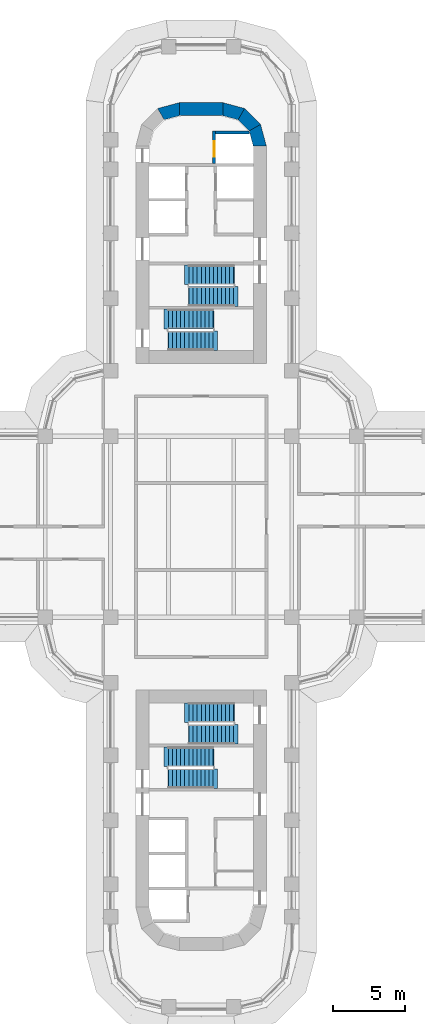
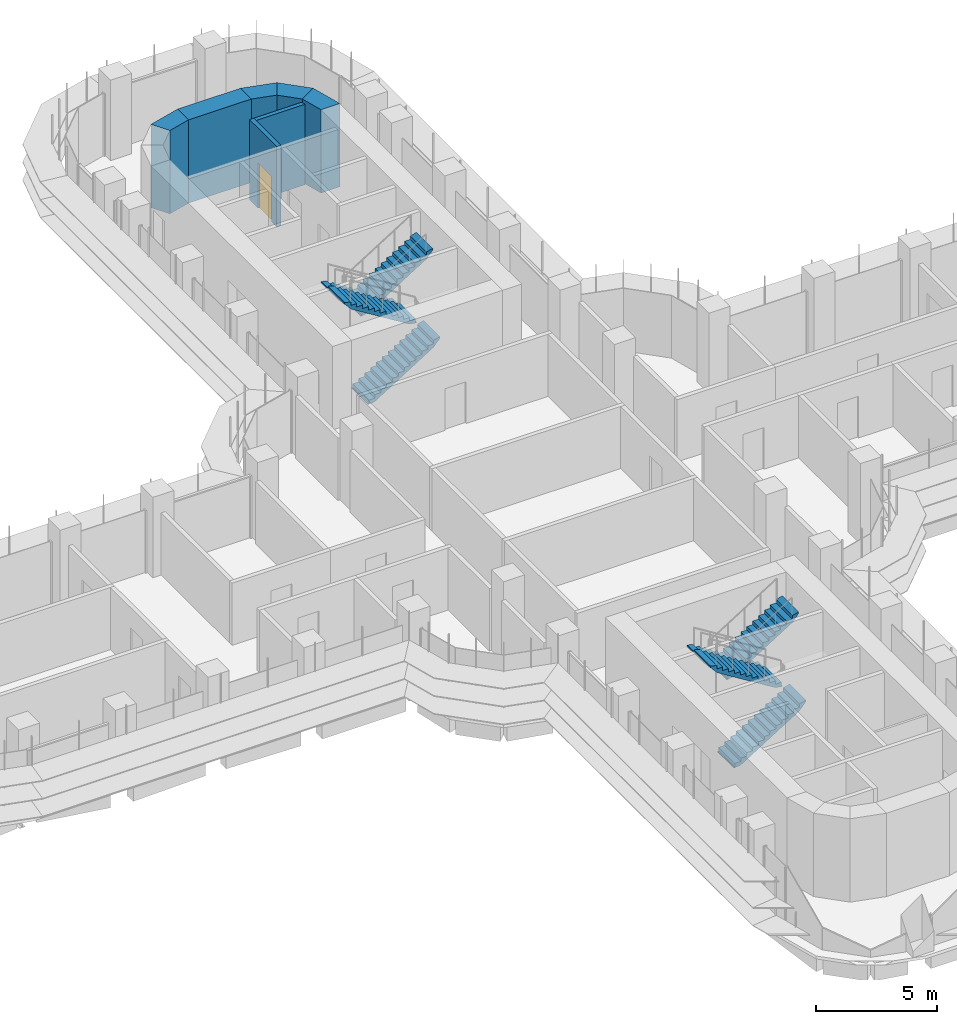
# One storey, part 19 of 23: 8 stair flights, 7 walls, 1 door, 1 opening, 4 elements without a shape of their own.
"""IFC4 building model written with IfcOpenShell, lengths in metres."""

from ifc_helpers import new_model, si_unit, direction, frame, frame_2d, origin, place, context, subcontext, project, spatial, polyline, rectangle, outline, extrude, material, layer, layer_set, type_object, element, fill, aggregate, save


model = new_model("IFC4")

# Units and contexts
model_context = context("Model", 3, precision=1e-05, world=origin(), true_north=direction((0.0, 1.0)))
body_context = subcontext(model_context, "Body", "Model", "MODEL_VIEW")
ifc_project = project(units=[si_unit("LENGTHUNIT", "METRE"), si_unit("AREAUNIT", "SQUARE_METRE"), si_unit("VOLUMEUNIT", "CUBIC_METRE"), si_unit("PLANEANGLEUNIT", "RADIAN"), si_unit("MASSUNIT", "GRAM", prefix="KILO")], contexts=[model_context])

# Site, building, storey
site_placement = place(None, origin())
site = spatial("IfcSite", under=ifc_project, at=site_placement, CompositionType="ELEMENT")
building_placement = place(site_placement, origin())
building = spatial("IfcBuilding", under=site, at=building_placement, Name="Zarbagh Exchange Tower", CompositionType="ELEMENT")
storey_placement = place(building_placement, frame((0.0, 0.0, 35.39990234375)))
storey = spatial("IfcBuildingStorey", under=building, at=storey_placement, Name="L07", CompositionType="ELEMENT", Elevation=35.39990234375)

# Walls
ifc_material_1 = material(Name="Concrete C60/75", Category="concrete")
ifc_layer_1 = layer(ifc_material_1, 0.89990234375)
ifc_layer_set_1 = layer_set([ifc_layer_1], Name="RC core corner wall 900 C60/75")
wall_type_1 = type_object("IfcWallType", Name="RC core corner wall 900 C60/75", PredefinedType="SHEAR", material=ifc_layer_set_1)
wall_1_placement = place(storey_placement, origin())
element("IfcWall", 1, at=wall_1_placement, inside=storey, type_object=wall_type_1, Name="CW2 core N corner W", PredefinedType="SHEAR", context=body_context, shape_type="SweptSolid", body=[
    extrude(outline(polyline([(-3.0, 28.84814453125), (-1.5, 29.25), (-1.5, 28.35009765625), (-2.550048828125, 28.068603515625), (-3.0, 28.84814453125)])), origin(), (0.0, 0.0, 1.0), 4.2001953125),
])
wall_2_placement = place(storey_placement, origin())
element("IfcWall", 2, at=wall_2_placement, inside=storey, type_object=wall_type_1, Name="CW2 core N corner E", PredefinedType="SHEAR", context=body_context, shape_type="SweptSolid", body=[
    extrude(outline(polyline([(4.5, 26.25), (4.09814453125, 27.75), (3.318603515625, 27.300048828125), (3.60009765625, 26.25), (4.5, 26.25)])), origin(), (0.0, 0.0, 1.0), 4.2001953125),
])
wall_3_placement = place(storey_placement, origin())
element("IfcWall", 3, at=wall_3_placement, inside=storey, type_object=wall_type_1, Name="CW2 core N corner E", PredefinedType="SHEAR", context=body_context, shape_type="SweptSolid", body=[
    extrude(outline(polyline([(4.09814453125, 27.75), (3.0, 28.84814453125), (2.550048828125, 28.068603515625), (3.318603515625, 27.300048828125), (4.09814453125, 27.75)])), origin(), (0.0, 0.0, 1.0), 4.2001953125),
])
wall_4_placement = place(storey_placement, origin())
element("IfcWall", 4, at=wall_4_placement, inside=storey, type_object=wall_type_1, Name="CW2 core N corner E", PredefinedType="SHEAR", context=body_context, shape_type="SweptSolid", body=[
    extrude(outline(polyline([(3.0, 28.84814453125), (1.5, 29.25), (1.5, 28.35009765625), (2.550048828125, 28.068603515625), (3.0, 28.84814453125)])), origin(), (0.0, 0.0, 1.0), 4.2001953125),
])
ifc_layer_2 = layer(ifc_material_1, 0.89990234375)
ifc_layer_set_2 = layer_set([ifc_layer_2], Name="RC core wall 900 C60/75")
wall_type_2 = type_object("IfcWallType", Name="RC core wall 900 C60/75", PredefinedType="SHEAR", material=ifc_layer_set_2)
wall_5_placement = place(storey_placement, frame((-1.5, 28.800048828125, 0.0), z_axis=(0.0, 0.0, 1.0), x_axis=(1.0, 0.0, 0.0)))
element("IfcWall", 5, at=wall_5_placement, inside=storey, type_object=wall_type_2, Name="CW1 core N outer end", PredefinedType="SHEAR", context=body_context, shape_type="SweptSolid", body=[
    extrude(rectangle(XDim=3.0, YDim=0.89990234375, at=frame_2d((1.5, 0.0))), origin(), (0.0, 0.0, 1.0), 4.2001953125),
])

# Wall, opening, door
ifc_material_2 = material(Name="Concrete C40/50", Category="concrete")
ifc_layer_3 = layer(ifc_material_2, 0.199951171875)
ifc_layer_set_3 = layer_set([ifc_layer_3], Name="Stair enclosure wall 200 mm RC C40/50")
wall_type_3 = type_object("IfcWallType", Name="Stair enclosure wall 200 mm RC C40/50", PredefinedType="SHEAR", material=ifc_layer_set_3)
wall_6_placement = place(storey_placement, frame((0.89990234375, 27.300048828125, 0.0), z_axis=(0.0, 0.0, 1.0), x_axis=(0.0, -1.0, 0.0)))
wall_6 = element("IfcWall", 6, at=wall_6_placement, inside=storey, type_object=wall_type_3, Name="North core lift shaft wall FFL", PredefinedType="SHEAR", context=body_context, shape_type="SweptSolid", body=[
    extrude(rectangle(XDim=2.25, YDim=0.199951171875, at=frame_2d((1.125, 0.0))), origin(), (0.0, 0.0, 1.0), 4.050048828125),
])
opening_placement = place(wall_6_placement, frame((0.699951171875, 0.0, 0.0)))
opening = element("IfcOpeningElement", 7, at=opening_placement, cuts=wall_6, Name="Opening LD-1100", PredefinedType="OPENING", context=body_context, shape_type="SweptSolid", body=[
    extrude(rectangle(XDim=1.10009765625, YDim=2.300048828125, at=frame_2d((0.550048828125, 1.14990234375))), frame((0.0, 0.10986328125, 0.0), z_axis=(0.0, -1.0, 0.0), x_axis=(1.0, 0.0, 0.0)), (0.0, 0.0, 1.0), 0.219970703125),
])
ifc_material_3 = material(Name="Stainless steel", Category="steel")
door_type = type_object("IfcDoorType", Name="Lift landing door 1100 x 2300", OperationType="NOTDEFINED", PredefinedType="DOOR", material=ifc_material_3)
door_placement = place(opening_placement, origin())
door = element("IfcDoor", 8, at=door_placement, inside=storey, type_object=door_type, Name="North core lift landing door LD-F", OperationType="DOUBLE_DOOR_SLIDING", OverallHeight=2.300048828125, OverallWidth=1.10009765625, PredefinedType="DOOR", context=body_context, shape_type="SweptSolid", body=[
    extrude(rectangle(XDim=1.10009765625, YDim=2.300048828125, at=frame_2d((0.550048828125, 1.14990234375))), frame((0.0, 0.02490234375, 0.0), z_axis=(0.0, -1.0, 0.0), x_axis=(1.0, 0.0, 0.0)), (0.0, 0.0, 1.0), 0.050048828125),
])
fill(opening, door)

# Wall
wall_7_placement = place(storey_placement, origin())
element("IfcWall", 9, at=wall_7_placement, inside=storey, type_object=wall_type_3, Name="North core lift shaft wall FFX", PredefinedType="SHEAR", context=body_context, shape_type="SweptSolid", body=[
    extrude(outline(polyline([(1.0, 27.10009765625), (3.340576171875, 27.10009765625), (3.291259765625, 27.2841796875), (3.275390625, 27.300048828125), (1.0, 27.300048828125), (1.0, 27.10009765625)])), origin(), (0.0, 0.0, 1.0), 4.050048828125),
])

# Stair, stair flights
stair_type = type_object("IfcStairType", Name="Exit stair two-flight half-turn", PredefinedType="HALF_TURN_STAIR", material=ifc_material_2)
stair_1_placement = place(storey_placement, origin())
stair_1 = element("IfcStair", 10, at=stair_1_placement, inside=storey, type_object=stair_type, Name="exit stair ST1", PredefinedType="HALF_TURN_STAIR")
stair_flight_type = type_object("IfcStairFlightType", Name="Stair flight 1350 mm", PredefinedType="STRAIGHT", material=ifc_material_2)
stair_flight_1_placement = place(storey_placement, frame((2.25, 17.375, 0.0), z_axis=(0.0, 0.0, 1.0), x_axis=(-1.0, 0.0, 0.0)))
stair_flight_1 = element("IfcStairFlight", 11, at=stair_flight_1_placement, type_object=stair_flight_type, Name="ST1 flight 1", NumberOfRisers=12, NumberOfTreads=11, PredefinedType="STRAIGHT", RiserHeight=0.175, TreadLength=0.28, context=body_context, shape_type="SweptSolid", body=[
    extrude(outline(polyline([(-0.050048828125, -0.050048828125), (-0.050048828125, 0.0), (0.0, 0.0), (0.0, 0.175048828125), (0.280029296875, 0.175048828125), (0.280029296875, 0.35009765625), (0.56005859375, 0.35009765625), (0.56005859375, 0.52490234375), (0.840087890625, 0.52490234375), (0.840087890625, 0.699951171875), (1.1201171875, 0.699951171875), (1.1201171875, 0.875), (1.39990234375, 0.875), (1.39990234375, 1.050048828125), (1.679931640625, 1.050048828125), (1.679931640625, 1.22509765625), (1.9599609375, 1.22509765625), (1.9599609375, 1.39990234375), (2.239990234375, 1.39990234375), (2.239990234375, 1.574951171875), (2.52001953125, 1.574951171875), (2.52001953125, 1.75), (2.800048828125, 1.75), (2.800048828125, 1.925048828125), (3.080078125, 1.925048828125), (3.080078125, 2.10009765625), (3.3798828125, 2.179931640625), (3.3798828125, 2.10009765625), (3.080078125, 1.748291015625), (0.28271484375, 0.0), (-0.050048828125, -0.050048828125)])), frame((0.0, 0.675048828125, 0.0), z_axis=(0.0, -1.0, 0.0), x_axis=(1.0, 0.0, 0.0)), (0.0, 0.0, 1.0), 1.35009765625),
])
stair_flight_2_placement = place(storey_placement, frame((-0.830078125, 15.875, 2.10009765625), z_axis=(0.0, 0.0, 1.0), x_axis=(1.0, 0.0, 0.0)))
stair_flight_2 = element("IfcStairFlight", 12, at=stair_flight_2_placement, type_object=stair_flight_type, Name="ST1 flight 2", NumberOfRisers=12, NumberOfTreads=11, PredefinedType="STRAIGHT", RiserHeight=0.175, TreadLength=0.28, context=body_context, shape_type="SweptSolid", body=[
    extrude(outline(polyline([(-0.050048828125, -0.050048828125), (-0.050048828125, 0.0), (0.0, 0.0), (0.0, 0.175048828125), (0.280029296875, 0.175048828125), (0.280029296875, 0.35009765625), (0.56005859375, 0.35009765625), (0.56005859375, 0.52490234375), (0.840087890625, 0.52490234375), (0.840087890625, 0.699951171875), (1.1201171875, 0.699951171875), (1.1201171875, 0.875), (1.39990234375, 0.875), (1.39990234375, 1.050048828125), (1.679931640625, 1.050048828125), (1.679931640625, 1.22509765625), (1.9599609375, 1.22509765625), (1.9599609375, 1.39990234375), (2.239990234375, 1.39990234375), (2.239990234375, 1.574951171875), (2.52001953125, 1.574951171875), (2.52001953125, 1.75), (2.800048828125, 1.75), (2.800048828125, 1.925048828125), (3.080078125, 1.925048828125), (3.080078125, 2.10009765625), (3.3798828125, 2.179931640625), (3.3798828125, 2.10009765625), (3.080078125, 1.748291015625), (0.28271484375, 0.0), (-0.050048828125, -0.050048828125)])), frame((0.0, 0.675048828125, 0.0), z_axis=(0.0, -1.0, 0.0), x_axis=(1.0, 0.0, 0.0)), (0.0, 0.0, 1.0), 1.35009765625),
])
aggregate(stair_1, [stair_flight_1, stair_flight_2])

stair_2_placement = place(storey_placement, origin())
stair_2 = element("IfcStair", 13, at=stair_2_placement, inside=storey, type_object=stair_type, Name="exit stair ST2", PredefinedType="HALF_TURN_STAIR")
stair_flight_3_placement = place(storey_placement, frame((-2.25, 12.824951171875, 0.0), z_axis=(0.0, 0.0, 1.0), x_axis=(1.0, 0.0, 0.0)))
stair_flight_3 = element("IfcStairFlight", 14, at=stair_flight_3_placement, type_object=stair_flight_type, Name="ST2 flight 1", NumberOfRisers=12, NumberOfTreads=11, PredefinedType="STRAIGHT", RiserHeight=0.175, TreadLength=0.28, context=body_context, shape_type="SweptSolid", body=[
    extrude(outline(polyline([(-0.050048828125, -0.050048828125), (-0.050048828125, 0.0), (0.0, 0.0), (0.0, 0.175048828125), (0.280029296875, 0.175048828125), (0.280029296875, 0.35009765625), (0.56005859375, 0.35009765625), (0.56005859375, 0.52490234375), (0.840087890625, 0.52490234375), (0.840087890625, 0.699951171875), (1.1201171875, 0.699951171875), (1.1201171875, 0.875), (1.39990234375, 0.875), (1.39990234375, 1.050048828125), (1.679931640625, 1.050048828125), (1.679931640625, 1.22509765625), (1.9599609375, 1.22509765625), (1.9599609375, 1.39990234375), (2.239990234375, 1.39990234375), (2.239990234375, 1.574951171875), (2.52001953125, 1.574951171875), (2.52001953125, 1.75), (2.800048828125, 1.75), (2.800048828125, 1.925048828125), (3.080078125, 1.925048828125), (3.080078125, 2.10009765625), (3.3798828125, 2.179931640625), (3.3798828125, 2.10009765625), (3.080078125, 1.748291015625), (0.28271484375, 0.0), (-0.050048828125, -0.050048828125)])), frame((0.0, 0.675048828125, 0.0), z_axis=(0.0, -1.0, 0.0), x_axis=(1.0, 0.0, 0.0)), (0.0, 0.0, 1.0), 1.35009765625),
])
stair_flight_4_placement = place(storey_placement, frame((0.830078125, 14.324951171875, 2.10009765625), z_axis=(0.0, 0.0, 1.0), x_axis=(-1.0, 0.0, 0.0)))
stair_flight_4 = element("IfcStairFlight", 15, at=stair_flight_4_placement, type_object=stair_flight_type, Name="ST2 flight 2", NumberOfRisers=12, NumberOfTreads=11, PredefinedType="STRAIGHT", RiserHeight=0.175, TreadLength=0.28, context=body_context, shape_type="SweptSolid", body=[
    extrude(outline(polyline([(-0.050048828125, -0.050048828125), (-0.050048828125, 0.0), (0.0, 0.0), (0.0, 0.175048828125), (0.280029296875, 0.175048828125), (0.280029296875, 0.35009765625), (0.56005859375, 0.35009765625), (0.56005859375, 0.52490234375), (0.840087890625, 0.52490234375), (0.840087890625, 0.699951171875), (1.1201171875, 0.699951171875), (1.1201171875, 0.875), (1.39990234375, 0.875), (1.39990234375, 1.050048828125), (1.679931640625, 1.050048828125), (1.679931640625, 1.22509765625), (1.9599609375, 1.22509765625), (1.9599609375, 1.39990234375), (2.239990234375, 1.39990234375), (2.239990234375, 1.574951171875), (2.52001953125, 1.574951171875), (2.52001953125, 1.75), (2.800048828125, 1.75), (2.800048828125, 1.925048828125), (3.080078125, 1.925048828125), (3.080078125, 2.10009765625), (3.3798828125, 2.179931640625), (3.3798828125, 2.10009765625), (3.080078125, 1.748291015625), (0.28271484375, 0.0), (-0.050048828125, -0.050048828125)])), frame((0.0, 0.675048828125, 0.0), z_axis=(0.0, -1.0, 0.0), x_axis=(1.0, 0.0, 0.0)), (0.0, 0.0, 1.0), 1.35009765625),
])
aggregate(stair_2, [stair_flight_3, stair_flight_4])

stair_3_placement = place(storey_placement, origin())
stair_3 = element("IfcStair", 16, at=stair_3_placement, inside=storey, type_object=stair_type, Name="exit stair ST3", PredefinedType="HALF_TURN_STAIR")
stair_flight_5_placement = place(storey_placement, frame((-2.25, -17.375, 0.0), z_axis=(0.0, 0.0, 1.0), x_axis=(1.0, 0.0, 0.0)))
stair_flight_5 = element("IfcStairFlight", 17, at=stair_flight_5_placement, type_object=stair_flight_type, Name="ST3 flight 1", NumberOfRisers=12, NumberOfTreads=11, PredefinedType="STRAIGHT", RiserHeight=0.175, TreadLength=0.28, context=body_context, shape_type="SweptSolid", body=[
    extrude(outline(polyline([(-0.050048828125, -0.050048828125), (-0.050048828125, 0.0), (0.0, 0.0), (0.0, 0.175048828125), (0.280029296875, 0.175048828125), (0.280029296875, 0.35009765625), (0.56005859375, 0.35009765625), (0.56005859375, 0.52490234375), (0.840087890625, 0.52490234375), (0.840087890625, 0.699951171875), (1.1201171875, 0.699951171875), (1.1201171875, 0.875), (1.39990234375, 0.875), (1.39990234375, 1.050048828125), (1.679931640625, 1.050048828125), (1.679931640625, 1.22509765625), (1.9599609375, 1.22509765625), (1.9599609375, 1.39990234375), (2.239990234375, 1.39990234375), (2.239990234375, 1.574951171875), (2.52001953125, 1.574951171875), (2.52001953125, 1.75), (2.800048828125, 1.75), (2.800048828125, 1.925048828125), (3.080078125, 1.925048828125), (3.080078125, 2.10009765625), (3.3798828125, 2.179931640625), (3.3798828125, 2.10009765625), (3.080078125, 1.748291015625), (0.28271484375, 0.0), (-0.050048828125, -0.050048828125)])), frame((0.0, 0.675048828125, 0.0), z_axis=(0.0, -1.0, 0.0), x_axis=(1.0, 0.0, 0.0)), (0.0, 0.0, 1.0), 1.35009765625),
])
stair_flight_6_placement = place(storey_placement, frame((0.830078125, -15.875, 2.10009765625), z_axis=(0.0, 0.0, 1.0), x_axis=(-1.0, 0.0, 0.0)))
stair_flight_6 = element("IfcStairFlight", 18, at=stair_flight_6_placement, type_object=stair_flight_type, Name="ST3 flight 2", NumberOfRisers=12, NumberOfTreads=11, PredefinedType="STRAIGHT", RiserHeight=0.175, TreadLength=0.28, context=body_context, shape_type="SweptSolid", body=[
    extrude(outline(polyline([(-0.050048828125, -0.050048828125), (-0.050048828125, 0.0), (0.0, 0.0), (0.0, 0.175048828125), (0.280029296875, 0.175048828125), (0.280029296875, 0.35009765625), (0.56005859375, 0.35009765625), (0.56005859375, 0.52490234375), (0.840087890625, 0.52490234375), (0.840087890625, 0.699951171875), (1.1201171875, 0.699951171875), (1.1201171875, 0.875), (1.39990234375, 0.875), (1.39990234375, 1.050048828125), (1.679931640625, 1.050048828125), (1.679931640625, 1.22509765625), (1.9599609375, 1.22509765625), (1.9599609375, 1.39990234375), (2.239990234375, 1.39990234375), (2.239990234375, 1.574951171875), (2.52001953125, 1.574951171875), (2.52001953125, 1.75), (2.800048828125, 1.75), (2.800048828125, 1.925048828125), (3.080078125, 1.925048828125), (3.080078125, 2.10009765625), (3.3798828125, 2.179931640625), (3.3798828125, 2.10009765625), (3.080078125, 1.748291015625), (0.28271484375, 0.0), (-0.050048828125, -0.050048828125)])), frame((0.0, 0.675048828125, 0.0), z_axis=(0.0, -1.0, 0.0), x_axis=(1.0, 0.0, 0.0)), (0.0, 0.0, 1.0), 1.35009765625),
])
aggregate(stair_3, [stair_flight_5, stair_flight_6])

stair_4_placement = place(storey_placement, origin())
stair_4 = element("IfcStair", 19, at=stair_4_placement, inside=storey, type_object=stair_type, Name="exit stair ST4", PredefinedType="HALF_TURN_STAIR")
stair_flight_7_placement = place(storey_placement, frame((2.25, -12.824951171875, 0.0), z_axis=(0.0, 0.0, 1.0), x_axis=(-1.0, 0.0, 0.0)))
stair_flight_7 = element("IfcStairFlight", 20, at=stair_flight_7_placement, type_object=stair_flight_type, Name="ST4 flight 1", NumberOfRisers=12, NumberOfTreads=11, PredefinedType="STRAIGHT", RiserHeight=0.175, TreadLength=0.28, context=body_context, shape_type="SweptSolid", body=[
    extrude(outline(polyline([(-0.050048828125, -0.050048828125), (-0.050048828125, 0.0), (0.0, 0.0), (0.0, 0.175048828125), (0.280029296875, 0.175048828125), (0.280029296875, 0.35009765625), (0.56005859375, 0.35009765625), (0.56005859375, 0.52490234375), (0.840087890625, 0.52490234375), (0.840087890625, 0.699951171875), (1.1201171875, 0.699951171875), (1.1201171875, 0.875), (1.39990234375, 0.875), (1.39990234375, 1.050048828125), (1.679931640625, 1.050048828125), (1.679931640625, 1.22509765625), (1.9599609375, 1.22509765625), (1.9599609375, 1.39990234375), (2.239990234375, 1.39990234375), (2.239990234375, 1.574951171875), (2.52001953125, 1.574951171875), (2.52001953125, 1.75), (2.800048828125, 1.75), (2.800048828125, 1.925048828125), (3.080078125, 1.925048828125), (3.080078125, 2.10009765625), (3.3798828125, 2.179931640625), (3.3798828125, 2.10009765625), (3.080078125, 1.748291015625), (0.28271484375, 0.0), (-0.050048828125, -0.050048828125)])), frame((0.0, 0.675048828125, 0.0), z_axis=(0.0, -1.0, 0.0), x_axis=(1.0, 0.0, 0.0)), (0.0, 0.0, 1.0), 1.35009765625),
])
stair_flight_8_placement = place(storey_placement, frame((-0.830078125, -14.324951171875, 2.10009765625), z_axis=(0.0, 0.0, 1.0), x_axis=(1.0, 0.0, 0.0)))
stair_flight_8 = element("IfcStairFlight", 21, at=stair_flight_8_placement, type_object=stair_flight_type, Name="ST4 flight 2", NumberOfRisers=12, NumberOfTreads=11, PredefinedType="STRAIGHT", RiserHeight=0.175, TreadLength=0.28, context=body_context, shape_type="SweptSolid", body=[
    extrude(outline(polyline([(-0.050048828125, -0.050048828125), (-0.050048828125, 0.0), (0.0, 0.0), (0.0, 0.175048828125), (0.280029296875, 0.175048828125), (0.280029296875, 0.35009765625), (0.56005859375, 0.35009765625), (0.56005859375, 0.52490234375), (0.840087890625, 0.52490234375), (0.840087890625, 0.699951171875), (1.1201171875, 0.699951171875), (1.1201171875, 0.875), (1.39990234375, 0.875), (1.39990234375, 1.050048828125), (1.679931640625, 1.050048828125), (1.679931640625, 1.22509765625), (1.9599609375, 1.22509765625), (1.9599609375, 1.39990234375), (2.239990234375, 1.39990234375), (2.239990234375, 1.574951171875), (2.52001953125, 1.574951171875), (2.52001953125, 1.75), (2.800048828125, 1.75), (2.800048828125, 1.925048828125), (3.080078125, 1.925048828125), (3.080078125, 2.10009765625), (3.3798828125, 2.179931640625), (3.3798828125, 2.10009765625), (3.080078125, 1.748291015625), (0.28271484375, 0.0), (-0.050048828125, -0.050048828125)])), frame((0.0, 0.675048828125, 0.0), z_axis=(0.0, -1.0, 0.0), x_axis=(1.0, 0.0, 0.0)), (0.0, 0.0, 1.0), 1.35009765625),
])
aggregate(stair_4, [stair_flight_7, stair_flight_8])

save(model, "model.ifc")
